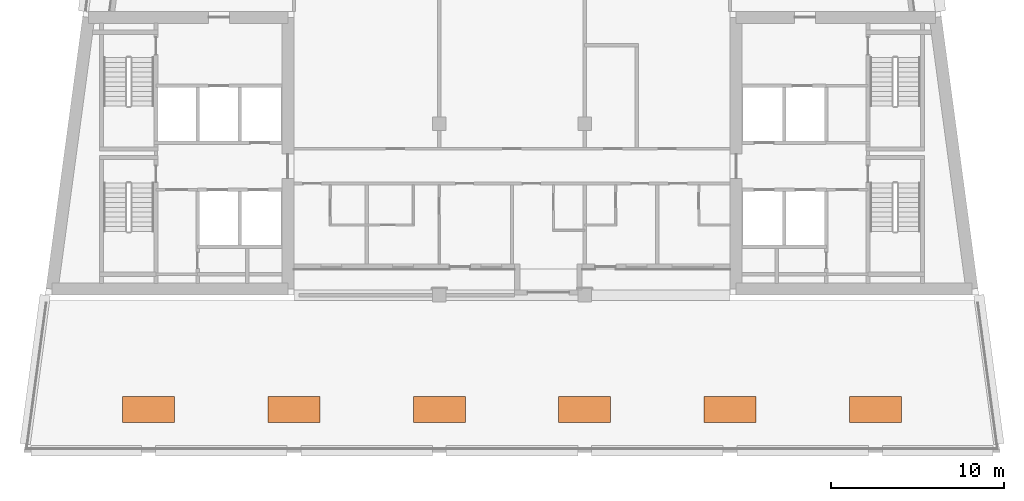
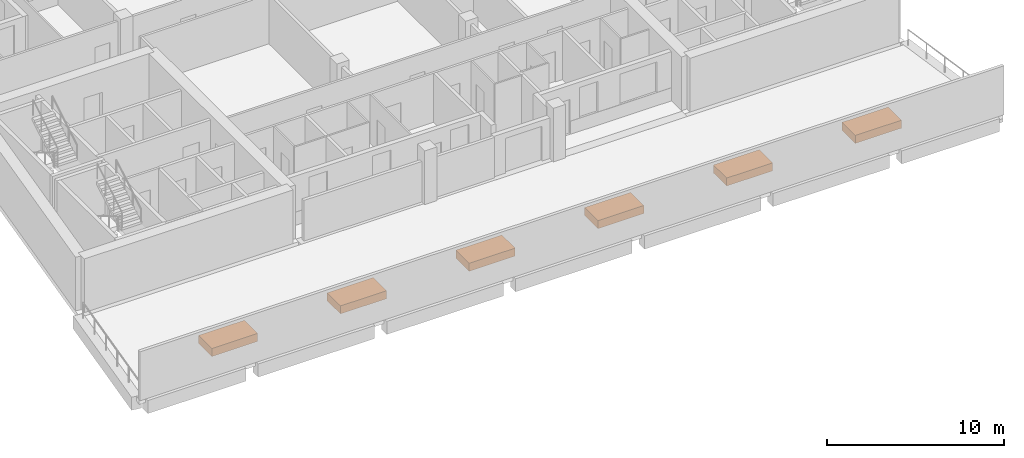
# One storey, part 12 of 12: 6 proxies.
"""IFC4 building model written with IfcOpenShell, lengths in metres."""

from ifc_helpers import new_model, si_unit, direction, frame, origin, origin_2d, place, context, subcontext, project, spatial, rectangle, extrude, element, save


model = new_model("IFC4")

# Units and contexts
model_context = context("Model", 3, precision=1e-05, world=origin(), true_north=direction((0.0, 1.0)))
body_context = subcontext(model_context, "Body", "Model", "MODEL_VIEW")
ifc_project = project(units=[si_unit("LENGTHUNIT", "METRE"), si_unit("AREAUNIT", "SQUARE_METRE"), si_unit("VOLUMEUNIT", "CUBIC_METRE"), si_unit("PLANEANGLEUNIT", "RADIAN"), si_unit("MASSUNIT", "GRAM", prefix="KILO")], contexts=[model_context])

# Site, building, storey
site_placement = place(None, origin())
site = spatial("IfcSite", under=ifc_project, at=site_placement, CompositionType="ELEMENT")
building_placement = place(site_placement, origin())
building = spatial("IfcBuilding", under=site, at=building_placement, Name="Candeia Pilgrim Tower and Theatre", CompositionType="ELEMENT")
storey_placement = place(building_placement, frame((0.0, 0.0, 281.199951171875)))
storey = spatial("IfcBuildingStorey", under=building, at=storey_placement, Name="L68", CompositionType="ELEMENT", Elevation=281.199951171875)

# Proxies
for number, where, z_axis, x_axis, name in (
    (1, (92.39990234375, 109.39990234375, 0.0), (0.0, 0.0, 1.0), (1.0, 0.0, 0.0), "Planter"),
    (2, (100.800048828125, 109.39990234375, 0.0), (0.0, 0.0, 1.0), (1.0, 0.0, 0.0), "Planter"),
    (3, (109.199951171875, 109.39990234375, 0.0), (0.0, 0.0, 1.0), (1.0, 0.0, 0.0), "Planter"),
    (4, (117.60009765625, 109.39990234375, 0.0), (0.0, 0.0, 1.0), (1.0, 0.0, 0.0), "Planter"),
    (5, (126.0, 109.39990234375, 0.0), (0.0, 0.0, 1.0), (1.0, 0.0, 0.0), "Planter"),
    (6, (134.39990234375, 109.39990234375, 0.0), (0.0, 0.0, 1.0), (1.0, 0.0, 0.0), "Planter"),
):
    element("IfcBuildingElementProxy", number, at=place(storey_placement, frame(where, z_axis=z_axis, x_axis=x_axis)), inside=storey, Name=name, ObjectType="PLANTER", PredefinedType="USERDEFINED", context=body_context, shape_type="SweptSolid", body=[
        extrude(rectangle(XDim=3.0, YDim=1.5, at=origin_2d()), origin(), (0.0, 0.0, 1.0), 0.550048828125),
    ])

save(model, "model.ifc")
